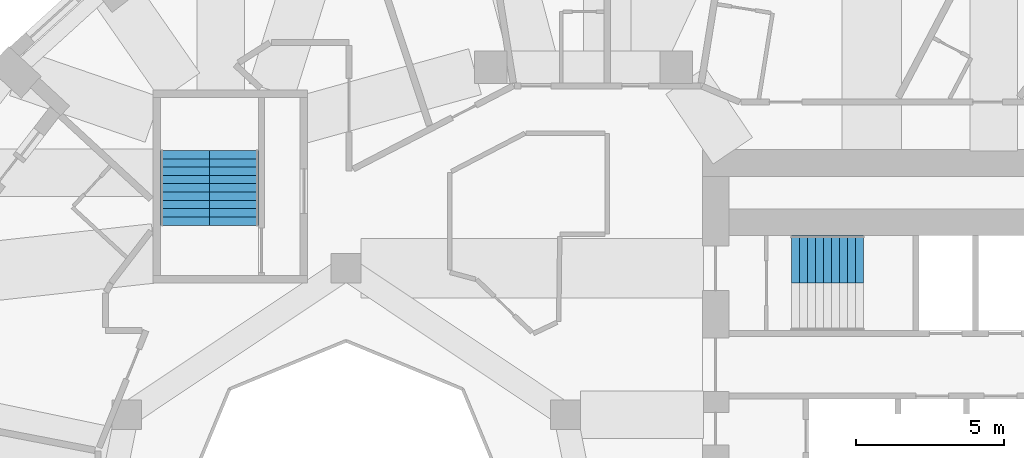
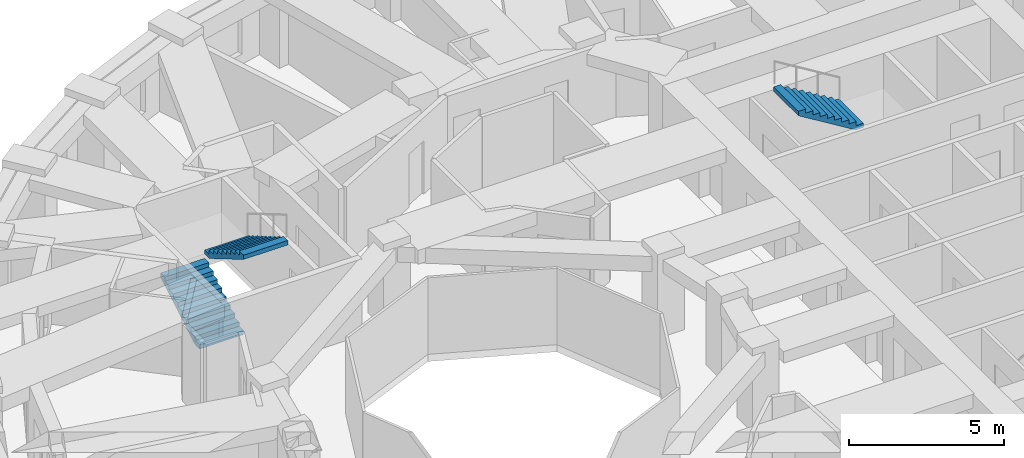
# One storey, part 10 of 13: 3 stair flights, 2 elements without a shape of their own.
"""IFC4 building model written with IfcOpenShell, lengths in metres."""

from ifc_helpers import new_model, si_unit, direction, frame, origin, place, context, subcontext, project, spatial, polyline, outline, extrude, material, type_object, element, aggregate, save


model = new_model("IFC4")

# Units and contexts
model_context = context("Model", 3, precision=1e-05, world=origin(), true_north=direction((0.0, 1.0)))
body_context = subcontext(model_context, "Body", "Model", "MODEL_VIEW")
ifc_project = project(units=[si_unit("LENGTHUNIT", "METRE"), si_unit("AREAUNIT", "SQUARE_METRE"), si_unit("VOLUMEUNIT", "CUBIC_METRE"), si_unit("PLANEANGLEUNIT", "RADIAN"), si_unit("MASSUNIT", "GRAM", prefix="KILO")], contexts=[model_context])

# Site, building, storey
site_placement = place(None, origin())
site = spatial("IfcSite", under=ifc_project, at=site_placement, CompositionType="ELEMENT")
building_placement = place(site_placement, origin())
building = spatial("IfcBuilding", under=site, at=building_placement, Name="Taillehof Tower", CompositionType="ELEMENT")
storey_placement = place(building_placement, frame((0.0, 0.0, 108.699951171875)))
storey = spatial("IfcBuildingStorey", under=building, at=storey_placement, Name="L30", CompositionType="ELEMENT", Elevation=108.699951171875)

# Stair, stair flight
ifc_material_1 = material(Name="Concrete C40/50", Category="concrete")
stair_type = type_object("IfcStairType", Name="Exit stair half-turn", PredefinedType="HALF_TURN_STAIR", material=ifc_material_1)
stair_1_placement = place(storey_placement, origin())
stair_1 = element("IfcStair", 1, at=stair_1_placement, inside=storey, type_object=stair_type, Name="Exit stair S1", PredefinedType="HALF_TURN_STAIR")
ifc_material_2 = material(Name="Concrete C40/50", Category="concrete")
stair_flight_type_1 = type_object("IfcStairFlightType", Name="Stair flight 1600 riser 165.0 going 270", PredefinedType="STRAIGHT", material=ifc_material_2)
stair_flight_1_placement = place(storey_placement, frame((9.429931640625, 8.300048828125, 1.650146484375), z_axis=(0.0, 0.0, 1.0), x_axis=(-1.0, 0.0, 0.0)))
stair_flight_1 = element("IfcStairFlight", 2, at=stair_flight_1_placement, type_object=stair_flight_type_1, Name="S1 flight 2", NumberOfRisers=10, NumberOfTreads=9, PredefinedType="STRAIGHT", RiserHeight=0.165, TreadLength=0.27, context=body_context, shape_type="SweptSolid", body=[
    extrude(outline(polyline([(0.0, 0.0), (0.0, 0.00537109375), (0.0, 0.0107421875), (0.0, 0.015869140625), (0.0, 0.021240234375), (0.0, 0.026611328125), (0.0, 0.031982421875), (0.0, 0.037353515625), (0.0, 0.04248046875), (0.0, 0.0478515625), (0.0, 0.05322265625), (0.0, 0.05859375), (0.0, 0.06396484375), (0.0, 0.069091796875), (0.0, 0.074462890625), (0.0, 0.079833984375), (0.0, 0.085205078125), (0.0, 0.090576171875), (0.0, 0.095703125), (0.0, 0.10107421875), (0.0, 0.1064453125), (0.0, 0.11181640625), (0.0, 0.1171875), (0.0, 0.122314453125), (0.0, 0.127685546875), (0.0, 0.133056640625), (0.0, 0.138427734375), (0.0, 0.143798828125), (0.0, 0.14892578125), (0.0, 0.154296875), (0.0, 0.15966796875), (0.0, 0.1650390625), (0.27001953125, 0.1650390625), (0.27001953125, 0.330078125), (0.5400390625, 0.330078125), (0.5400390625, 0.4951171875), (0.81005859375, 0.4951171875), (0.81005859375, 0.659912109375), (1.080078125, 0.659912109375), (1.080078125, 0.824951171875), (1.35009765625, 0.824951171875), (1.35009765625, 0.989990234375), (1.6201171875, 0.989990234375), (1.6201171875, 1.155029296875), (1.889892578125, 1.155029296875), (1.889892578125, 1.320068359375), (2.159912109375, 1.320068359375), (2.159912109375, 1.485107421875), (2.429931640625, 1.485107421875), (2.429931640625, 1.479248046875), (2.429931640625, 1.4736328125), (2.429931640625, 1.468017578125), (2.429931640625, 1.46240234375), (2.429931640625, 1.45654296875), (2.429931640625, 1.450927734375), (2.429931640625, 1.4453125), (2.429931640625, 1.439697265625), (2.429931640625, 1.43408203125), (2.429931640625, 1.42822265625), (2.429931640625, 1.422607421875), (2.429931640625, 1.4169921875), (2.429931640625, 1.411376953125), (2.429931640625, 1.40576171875), (2.429931640625, 1.39990234375), (2.429931640625, 1.394287109375), (2.429931640625, 1.388671875), (2.429931640625, 1.383056640625), (2.429931640625, 1.37744140625), (2.429931640625, 1.37158203125), (2.429931640625, 1.365966796875), (2.429931640625, 1.3603515625), (2.429931640625, 1.354736328125), (2.429931640625, 1.348876953125), (2.429931640625, 1.34326171875), (2.429931640625, 1.337646484375), (2.429931640625, 1.33203125), (2.429931640625, 1.326416015625), (2.429931640625, 1.320556640625), (2.429931640625, 1.31494140625), (2.429931640625, 1.309326171875), (0.287353515625, 0.0), (0.0, 0.0)])), frame((0.0, 0.800048828125, 0.0), z_axis=(0.0, -1.0, 0.0), x_axis=(1.0, 0.0, 0.0)), (0.0, 0.0, 1.0), 1.6),
])
aggregate(stair_1, [stair_flight_1])

# Stair, stair flights
stair_2_placement = place(storey_placement, origin())
stair_2 = element("IfcStair", 3, at=stair_2_placement, inside=storey, type_object=stair_type, Name="Exit stair S3", PredefinedType="HALF_TURN_STAIR")
ifc_material_3 = material(Name="Concrete C40/50", Category="concrete")
stair_flight_type_2 = type_object("IfcStairFlightType", Name="Stair flight 1650 riser 165.0 going 280", PredefinedType="STRAIGHT", material=ifc_material_3)
stair_flight_2_placement = place(storey_placement, frame((-13.425048828125, 9.449951171875, 0.0), z_axis=(0.0, 0.0, 1.0), x_axis=(0.0, 1.0, 0.0)))
stair_flight_2 = element("IfcStairFlight", 4, at=stair_flight_2_placement, type_object=stair_flight_type_2, Name="S3 flight 1", NumberOfRisers=10, NumberOfTreads=9, PredefinedType="STRAIGHT", RiserHeight=0.165, TreadLength=0.28, context=body_context, shape_type="SweptSolid", body=[
    extrude(outline(polyline([(0.0, 0.0), (0.0, 0.00537109375), (0.0, 0.0107421875), (0.0, 0.015869140625), (0.0, 0.021240234375), (0.0, 0.026611328125), (0.0, 0.031982421875), (0.0, 0.037353515625), (0.0, 0.04248046875), (0.0, 0.0478515625), (0.0, 0.05322265625), (0.0, 0.05859375), (0.0, 0.06396484375), (0.0, 0.069091796875), (0.0, 0.074462890625), (0.0, 0.079833984375), (0.0, 0.085205078125), (0.0, 0.090576171875), (0.0, 0.095703125), (0.0, 0.10107421875), (0.0, 0.1064453125), (0.0, 0.11181640625), (0.0, 0.1171875), (0.0, 0.122314453125), (0.0, 0.127685546875), (0.0, 0.133056640625), (0.0, 0.138427734375), (0.0, 0.143798828125), (0.0, 0.14892578125), (0.0, 0.154296875), (0.0, 0.15966796875), (0.0, 0.1650390625), (0.280029296875, 0.1650390625), (0.280029296875, 0.330078125), (0.56005859375, 0.330078125), (0.56005859375, 0.4951171875), (0.840087890625, 0.4951171875), (0.840087890625, 0.659912109375), (1.1201171875, 0.659912109375), (1.1201171875, 0.824951171875), (1.39990234375, 0.824951171875), (1.39990234375, 0.989990234375), (1.679931640625, 0.989990234375), (1.679931640625, 1.155029296875), (1.9599609375, 1.155029296875), (1.9599609375, 1.320068359375), (2.239990234375, 1.320068359375), (2.239990234375, 1.485107421875), (2.52001953125, 1.485107421875), (2.52001953125, 1.4794921875), (2.52001953125, 1.473876953125), (2.52001953125, 1.46826171875), (2.52001953125, 1.462646484375), (2.52001953125, 1.45703125), (2.52001953125, 1.451416015625), (2.52001953125, 1.44580078125), (2.52001953125, 1.440185546875), (2.52001953125, 1.4345703125), (2.52001953125, 1.428955078125), (2.52001953125, 1.42333984375), (2.52001953125, 1.417724609375), (2.52001953125, 1.412109375), (2.52001953125, 1.406494140625), (2.52001953125, 1.40087890625), (2.52001953125, 1.395263671875), (2.52001953125, 1.3896484375), (2.52001953125, 1.384033203125), (2.52001953125, 1.37841796875), (2.52001953125, 1.372802734375), (2.52001953125, 1.3671875), (2.52001953125, 1.361572265625), (2.52001953125, 1.35595703125), (2.52001953125, 1.350341796875), (2.52001953125, 1.3447265625), (2.52001953125, 1.339111328125), (2.52001953125, 1.33349609375), (2.52001953125, 1.327880859375), (2.52001953125, 1.322265625), (2.52001953125, 1.316650390625), (2.52001953125, 1.31103515625), (0.295166015625, 0.0), (0.0, 0.0)])), frame((0.0, 0.824951171875, 0.0), z_axis=(0.0, -1.0, 0.0), x_axis=(1.0, 0.0, 0.0)), (0.0, 0.0, 1.0), 1.65),
])
stair_flight_3_placement = place(storey_placement, frame((-11.77490234375, 11.969970703125, 1.650146484375), z_axis=(0.0, 0.0, 1.0), x_axis=(0.0, -1.0, 0.0)))
stair_flight_3 = element("IfcStairFlight", 5, at=stair_flight_3_placement, type_object=stair_flight_type_2, Name="S3 flight 2", NumberOfRisers=10, NumberOfTreads=9, PredefinedType="STRAIGHT", RiserHeight=0.165, TreadLength=0.28, context=body_context, shape_type="SweptSolid", body=[
    extrude(outline(polyline([(0.0, 0.0), (0.0, 0.00537109375), (0.0, 0.0107421875), (0.0, 0.015869140625), (0.0, 0.021240234375), (0.0, 0.026611328125), (0.0, 0.031982421875), (0.0, 0.037353515625), (0.0, 0.04248046875), (0.0, 0.0478515625), (0.0, 0.05322265625), (0.0, 0.05859375), (0.0, 0.06396484375), (0.0, 0.069091796875), (0.0, 0.074462890625), (0.0, 0.079833984375), (0.0, 0.085205078125), (0.0, 0.090576171875), (0.0, 0.095703125), (0.0, 0.10107421875), (0.0, 0.1064453125), (0.0, 0.11181640625), (0.0, 0.1171875), (0.0, 0.122314453125), (0.0, 0.127685546875), (0.0, 0.133056640625), (0.0, 0.138427734375), (0.0, 0.143798828125), (0.0, 0.14892578125), (0.0, 0.154296875), (0.0, 0.15966796875), (0.0, 0.1650390625), (0.280029296875, 0.1650390625), (0.280029296875, 0.330078125), (0.56005859375, 0.330078125), (0.56005859375, 0.4951171875), (0.840087890625, 0.4951171875), (0.840087890625, 0.659912109375), (1.1201171875, 0.659912109375), (1.1201171875, 0.824951171875), (1.39990234375, 0.824951171875), (1.39990234375, 0.989990234375), (1.679931640625, 0.989990234375), (1.679931640625, 1.155029296875), (1.9599609375, 1.155029296875), (1.9599609375, 1.320068359375), (2.239990234375, 1.320068359375), (2.239990234375, 1.485107421875), (2.52001953125, 1.485107421875), (2.52001953125, 1.4794921875), (2.52001953125, 1.473876953125), (2.52001953125, 1.46826171875), (2.52001953125, 1.462646484375), (2.52001953125, 1.45703125), (2.52001953125, 1.451416015625), (2.52001953125, 1.44580078125), (2.52001953125, 1.440185546875), (2.52001953125, 1.4345703125), (2.52001953125, 1.428955078125), (2.52001953125, 1.42333984375), (2.52001953125, 1.417724609375), (2.52001953125, 1.412109375), (2.52001953125, 1.406494140625), (2.52001953125, 1.40087890625), (2.52001953125, 1.395263671875), (2.52001953125, 1.3896484375), (2.52001953125, 1.384033203125), (2.52001953125, 1.37841796875), (2.52001953125, 1.372802734375), (2.52001953125, 1.3671875), (2.52001953125, 1.361572265625), (2.52001953125, 1.35595703125), (2.52001953125, 1.350341796875), (2.52001953125, 1.3447265625), (2.52001953125, 1.339111328125), (2.52001953125, 1.33349609375), (2.52001953125, 1.327880859375), (2.52001953125, 1.322265625), (2.52001953125, 1.316650390625), (2.52001953125, 1.31103515625), (0.295166015625, 0.0), (0.0, 0.0)])), frame((0.0, 0.824951171875, 0.0), z_axis=(0.0, -1.0, 0.0), x_axis=(1.0, 0.0, 0.0)), (0.0, 0.0, 1.0), 1.65),
])
aggregate(stair_2, [stair_flight_2, stair_flight_3])

save(model, "model.ifc")
